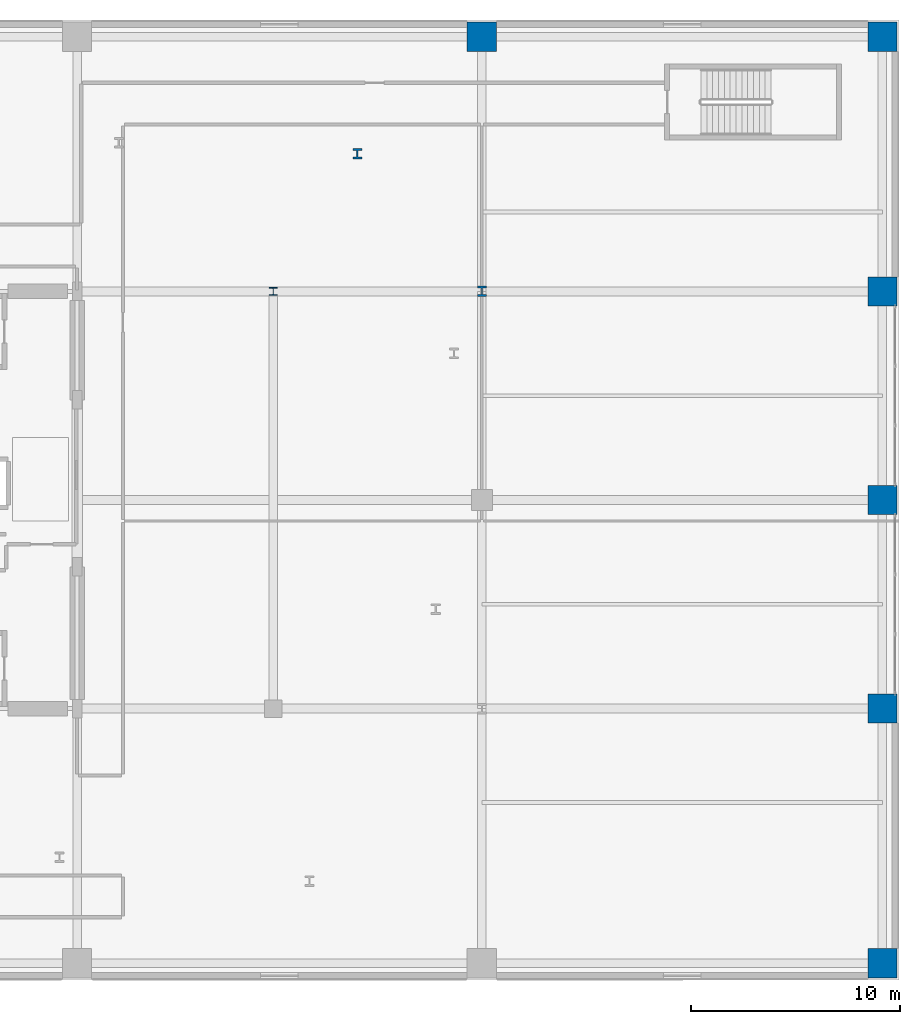
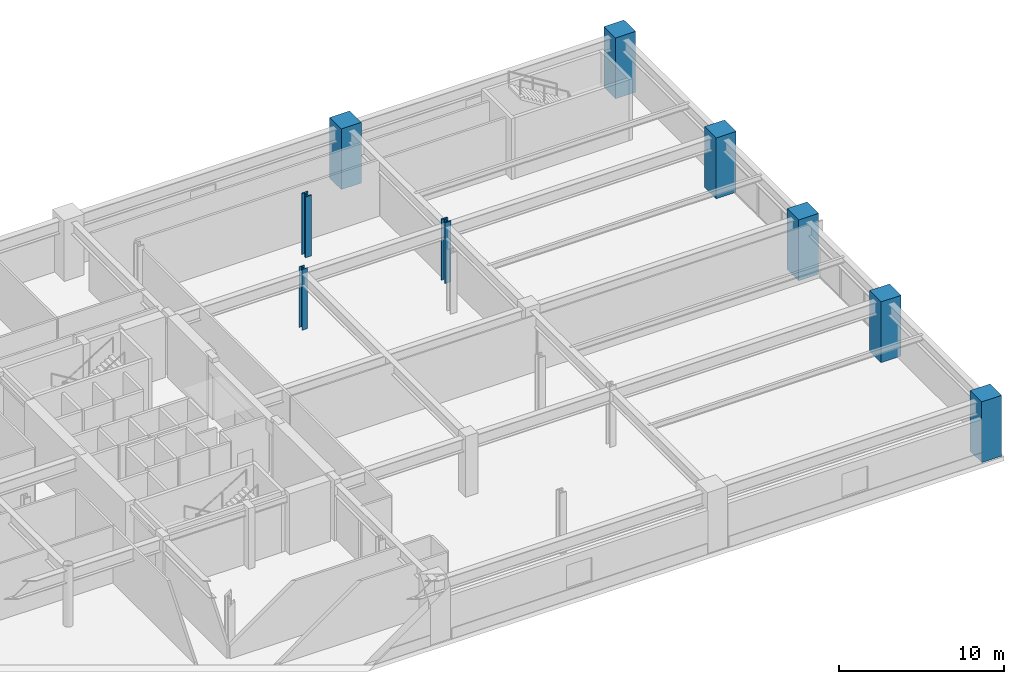
# One storey, part 3 of 28: 9 columns.
"""IFC4 building model written with IfcOpenShell, lengths in metres."""

from ifc_helpers import new_model, si_unit, direction, frame, origin, origin_2d, place, context, subcontext, project, spatial, rectangle, i_section, extrude, material, material_profile, profile_set, type_object, element, save


model = new_model("IFC4")

# Units and contexts
model_context = context("Model", 3, precision=1e-05, world=origin(), true_north=direction((0.0, 1.0)))
body_context = subcontext(model_context, "Body", "Model", "MODEL_VIEW")
ifc_project = project(units=[si_unit("LENGTHUNIT", "METRE"), si_unit("AREAUNIT", "SQUARE_METRE"), si_unit("VOLUMEUNIT", "CUBIC_METRE"), si_unit("PLANEANGLEUNIT", "RADIAN"), si_unit("MASSUNIT", "GRAM", prefix="KILO")], contexts=[model_context])

# Site, building, storey
site_placement = place(None, origin())
site = spatial("IfcSite", under=ifc_project, at=site_placement, CompositionType="ELEMENT")
building_placement = place(site_placement, origin())
building = spatial("IfcBuilding", under=site, at=building_placement, Name="Soratama Intermodal Tower", CompositionType="ELEMENT")
storey_placement = place(building_placement, frame((0.0, 0.0, 20.699951171875)))
storey = spatial("IfcBuildingStorey", under=building, at=storey_placement, Name="L04", CompositionType="ELEMENT", Elevation=20.699951171875)

# Columns
ifc_material_1 = material(Name="Structural steel ASTM A992 Grade 50", Category="steel")
ifc_material_profile_1 = material_profile(ifc_material_1, i_section(OverallWidth=0.39404296875, OverallDepth=0.375, WebThickness=0.017333984375, FlangeThickness=0.027587890625, FilletRadius=0.0380859375, at=origin_2d()), Name="W14X145")
ifc_profile_set_1 = profile_set([ifc_material_profile_1], Name="Structural steel ASTM A992 Grade 50")
column_type_1 = type_object("IfcColumnType", Name="COL-INT-W14X145", PredefinedType="COLUMN", material=ifc_profile_set_1)
column_placement = place(storey_placement, frame((54.0, 35.0, 0.0), z_axis=(0.0, 0.0, 1.0), x_axis=(1.0, 0.0, 0.0)))
element("IfcColumn", 1, at=column_placement, inside=storey, type_object=column_type_1, Name="L04 Station Column P26", PredefinedType="COLUMN", context=body_context, shape_type="SweptSolid", body=[
    extrude(i_section(OverallWidth=0.39404296875, OverallDepth=0.375, WebThickness=0.017333984375, FlangeThickness=0.027587890625, FilletRadius=0.0380859375, at=origin_2d()), origin(), (0.0, 0.0, 1.0), 4.5),
])
ifc_material_2 = material(Name="Concrete f'c 56 MPa", Category="concrete")
ifc_material_profile_2 = material_profile(ifc_material_2, rectangle(XDim=1.39990234375, YDim=1.39990234375, at=origin_2d()), Name="RC1400X1400")
ifc_profile_set_2 = profile_set([ifc_material_profile_2], Name="Concrete f'c 56 MPa")
column_type_2 = type_object("IfcColumnType", Name="COL-POD-EXT-RC1400", PredefinedType="COLUMN", material=ifc_profile_set_2)
for number, where, z_axis, x_axis, name in (
    (2, (83.199951171875, 2.800048828125, 0.0), (0.0, 0.0, 1.0), (1.0, 0.0, 0.0), "L04 Station Column P04"),
    (3, (83.199951171875, 15.0, 0.0), (0.0, 0.0, 1.0), (1.0, 0.0, 0.0), "L04 Station Column P08"),
    (4, (83.199951171875, 35.0, 0.0), (0.0, 0.0, 1.0), (1.0, 0.0, 0.0), "L04 Station Column P12"),
    (5, (64.0, 47.199951171875, 0.0), (0.0, 0.0, 1.0), (1.0, 0.0, 0.0), "L04 Station Column P15"),
    (6, (83.199951171875, 47.199951171875, 0.0), (0.0, 0.0, 1.0), (1.0, 0.0, 0.0), "L04 Station Column P16"),
    (7, (83.199951171875, 25.0, 0.0), (0.0, 0.0, 1.0), (1.0, 0.0, 0.0), "L04 Station Column P20"),
):
    element("IfcColumn", number, at=place(storey_placement, frame(where, z_axis=z_axis, x_axis=x_axis)), inside=storey, type_object=column_type_2, Name=name, PredefinedType="COLUMN", context=body_context, shape_type="SweptSolid", body=[
        extrude(rectangle(XDim=1.39990234375, YDim=1.39990234375, at=origin_2d()), origin(), (0.0, 0.0, 1.0), 4.5),
    ])
ifc_material_3 = material(Name="Structural steel ASTM A992 Grade 50", Category="steel")
ifc_material_profile_3 = material_profile(ifc_material_3, i_section(OverallWidth=0.431884765625, OverallDepth=0.498046875, WebThickness=0.0556640625, FlangeThickness=0.0888671875, FilletRadius=0.0380859375, at=origin_2d()), Name="W14X500")
ifc_profile_set_3 = profile_set([ifc_material_profile_3], Name="Structural steel ASTM A992 Grade 50")
column_type_3 = type_object("IfcColumnType", Name="COL-POD-W14X500", PredefinedType="COLUMN", material=ifc_profile_set_3)
for number, where, z_axis, x_axis, name in (
    (8, (64.0, 35.0, 0.0), (0.0, 0.0, 1.0), (1.0, 0.0, 0.0), "L04 Station Column P11"),
    (9, (58.031982421875, 41.594970703125, 0.0), (0.0, 0.0, 1.0), (1.0, 0.0, 0.0), "L04 Station Column P30"),
):
    element("IfcColumn", number, at=place(storey_placement, frame(where, z_axis=z_axis, x_axis=x_axis)), inside=storey, type_object=column_type_3, Name=name, PredefinedType="COLUMN", context=body_context, shape_type="SweptSolid", body=[
        extrude(i_section(OverallWidth=0.431884765625, OverallDepth=0.498046875, WebThickness=0.0556640625, FlangeThickness=0.0888671875, FilletRadius=0.0380859375, at=origin_2d()), origin(), (0.0, 0.0, 1.0), 4.5),
    ])

save(model, "model.ifc")
